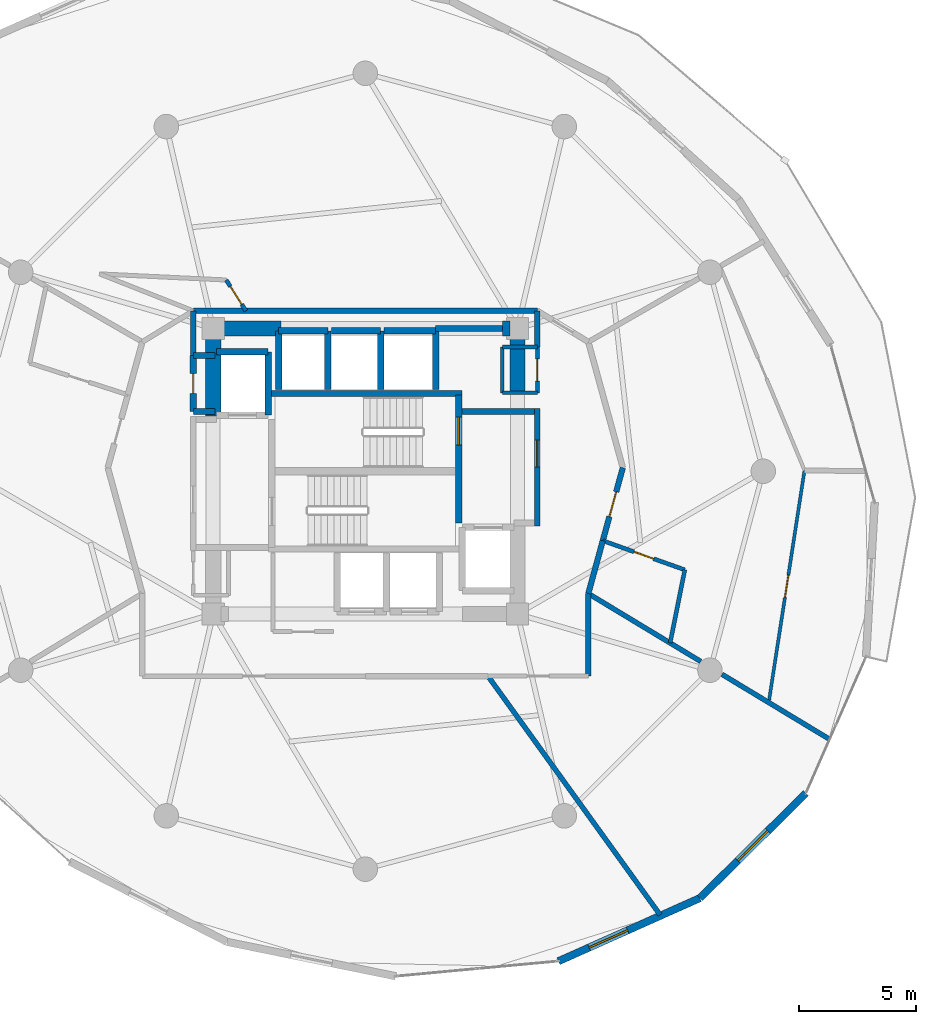
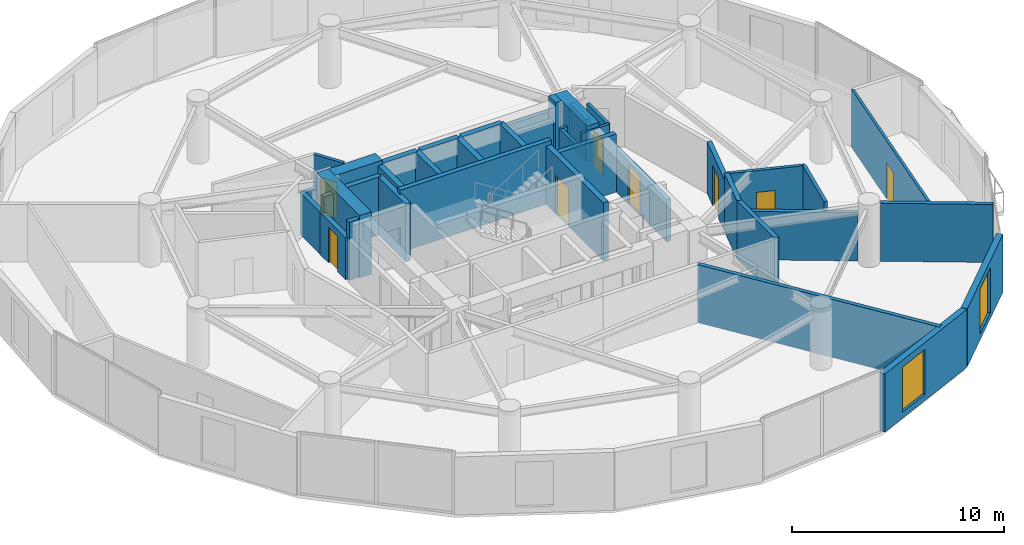
# One storey, part 21 of 25: 40 walls, 8 doors, 2 windows, 10 openings.
"""IFC4 building model written with IfcOpenShell, lengths in metres."""

from ifc_helpers import new_model, si_unit, direction, frame, frame_2d, origin, place, context, subcontext, project, spatial, rectangle, extrude, material, layer, layer_set, type_object, element, fill, save


model = new_model("IFC4")

# Units and contexts
model_context = context("Model", 3, precision=1e-05, world=origin(), true_north=direction((0.0, 1.0)))
body_context = subcontext(model_context, "Body", "Model", "MODEL_VIEW")
ifc_project = project(units=[si_unit("LENGTHUNIT", "METRE"), si_unit("AREAUNIT", "SQUARE_METRE"), si_unit("VOLUMEUNIT", "CUBIC_METRE"), si_unit("PLANEANGLEUNIT", "RADIAN"), si_unit("MASSUNIT", "GRAM", prefix="KILO")], contexts=[model_context])

# Site, building, storey
site_placement = place(None, origin())
site = spatial("IfcSite", under=ifc_project, at=site_placement, CompositionType="ELEMENT")
building_placement = place(site_placement, origin())
building = spatial("IfcBuilding", under=site, at=building_placement, Name="Solvirekh Grand Hotel", CompositionType="ELEMENT")
storey_placement = place(building_placement, frame((0.0, 0.0, 117.0)))
storey = spatial("IfcBuildingStorey", under=building, at=storey_placement, Name="L29", CompositionType="ELEMENT", Elevation=117.0)

# Walls
ifc_material_1 = material(Name="Concrete C50/60", Category="concrete")
ifc_layer_1 = layer(ifc_material_1, 0.35009765625)
ifc_layer_set_1 = layer_set([ifc_layer_1], Name="Concrete C50/60")
wall_type_1 = type_object("IfcWallType", Name="CoreDivWall_RC350", PredefinedType="SOLIDWALL", material=ifc_layer_set_1)
wall_1_placement = place(storey_placement, frame((-4.1298828125, 3.324951171875, 0.0), z_axis=(0.0, 0.0, 1.0), x_axis=(1.0, 0.0, 0.0)))
element("IfcWall", 1, at=wall_1_placement, inside=storey, type_object=wall_type_1, Name="L29 core stair box wall ST-N", PredefinedType="SOLIDWALL", context=body_context, shape_type="SweptSolid", body=[
    extrude(rectangle(XDim=8.259765625, YDim=0.25, at=frame_2d((4.1298828125, 0.0))), origin(), (0.0, 0.0, 1.0), 3.60009765625),
])
ifc_material_2 = material(Name="Concrete C40/50", Category="concrete")
ifc_layer_2 = layer(ifc_material_2, 0.280029296875)
ifc_layer_set_2 = layer_set([ifc_layer_2], Name="Concrete C40/50")
wall_type_2 = type_object("IfcWallType", Name="CoreShaftWall_RC280", PredefinedType="SOLIDWALL", material=ifc_layer_set_2)
wall_2_placement = place(storey_placement, frame((-1.60009765625, 6.0, 0.0), z_axis=(0.0, 0.0, 1.0), x_axis=(-1.0, 0.0, 0.0)))
element("IfcWall", 2, at=wall_2_placement, inside=storey, type_object=wall_type_2, Name="L29 HP-1 hoistway N wall", PredefinedType="SOLIDWALL", context=body_context, shape_type="SweptSolid", body=[
    extrude(rectangle(XDim=2.099853515625, YDim=0.280029296875, at=frame_2d((1.0498046875, 0.0))), origin(), (0.0, 0.0, 1.0), 3.35009765625),
])
for number, where, z_axis, x_axis, name in (
    (3, (-3.699951171875, 6.0, 0.0), (0.0, 0.0, 1.0), (0.0, -1.0, 0.0), "L29 HP-1 hoistway W wall"),
    (4, (-1.60009765625, 3.5, 0.0), (0.0, 0.0, 1.0), (0.0, 1.0, 0.0), "L29 HP-1 hoistway E wall"),
):
    element("IfcWall", number, at=place(storey_placement, frame(where, z_axis=z_axis, x_axis=x_axis)), inside=storey, type_object=wall_type_2, Name=name, PredefinedType="SOLIDWALL", context=body_context, shape_type="SweptSolid", body=[
        extrude(rectangle(XDim=2.5, YDim=0.280029296875, at=frame_2d((1.25, 0.0))), origin(), (0.0, 0.0, 1.0), 3.35009765625),
    ])
wall_3_placement = place(storey_placement, frame((0.64990234375, 6.0, 0.0), z_axis=(0.0, 0.0, 1.0), x_axis=(-1.0, 0.0, 0.0)))
element("IfcWall", 5, at=wall_3_placement, inside=storey, type_object=wall_type_2, Name="L29 HP-2 hoistway N wall", PredefinedType="SOLIDWALL", context=body_context, shape_type="SweptSolid", body=[
    extrude(rectangle(XDim=2.099853515625, YDim=0.280029296875, at=frame_2d((1.0498046875, 0.0))), origin(), (0.0, 0.0, 1.0), 3.35009765625),
])
wall_4_placement = place(storey_placement, frame((0.64990234375, 3.5, 0.0), z_axis=(0.0, 0.0, 1.0), x_axis=(0.0, 1.0, 0.0)))
element("IfcWall", 6, at=wall_4_placement, inside=storey, type_object=wall_type_2, Name="L29 HP-2 hoistway E wall", PredefinedType="SOLIDWALL", context=body_context, shape_type="SweptSolid", body=[
    extrude(rectangle(XDim=2.5, YDim=0.280029296875, at=frame_2d((1.25, 0.0))), origin(), (0.0, 0.0, 1.0), 3.35009765625),
])
wall_5_placement = place(storey_placement, frame((3.0, 6.0, 0.0), z_axis=(0.0, 0.0, 1.0), x_axis=(-1.0, 0.0, 0.0)))
element("IfcWall", 7, at=wall_5_placement, inside=storey, type_object=wall_type_2, Name="L29 EX-1 hoistway N wall", PredefinedType="SOLIDWALL", context=body_context, shape_type="SweptSolid", body=[
    extrude(rectangle(XDim=2.199951171875, YDim=0.280029296875, at=frame_2d((1.10009765625, 0.0))), origin(), (0.0, 0.0, 1.0), 3.35009765625),
])
wall_6_placement = place(storey_placement, frame((3.0, 3.5, 0.0), z_axis=(0.0, 0.0, 1.0), x_axis=(0.0, 1.0, 0.0)))
element("IfcWall", 8, at=wall_6_placement, inside=storey, type_object=wall_type_2, Name="L29 EX-1 hoistway E wall", PredefinedType="SOLIDWALL", context=body_context, shape_type="SweptSolid", body=[
    extrude(rectangle(XDim=2.5, YDim=0.280029296875, at=frame_2d((1.25, 0.0))), origin(), (0.0, 0.0, 1.0), 3.35009765625),
])
wall_7_placement = place(storey_placement, frame((-4.14990234375, 5.10009765625, 0.0), z_axis=(0.0, 0.0, 1.0), x_axis=(-1.0, 0.0, 0.0)))
element("IfcWall", 9, at=wall_7_placement, inside=storey, type_object=wall_type_2, Name="L29 FL-1 hoistway N wall", PredefinedType="SOLIDWALL", context=body_context, shape_type="SweptSolid", body=[
    extrude(rectangle(XDim=2.2001953125, YDim=0.280029296875, at=frame_2d((1.10009765625, 0.0))), origin(), (0.0, 0.0, 1.0), 3.35009765625),
])
wall_8_placement = place(storey_placement, frame((-4.14990234375, 2.39990234375, 0.0), z_axis=(0.0, 0.0, 1.0), x_axis=(0.0, 1.0, 0.0)))
element("IfcWall", 10, at=wall_8_placement, inside=storey, type_object=wall_type_2, Name="L29 FL-1 hoistway E wall", PredefinedType="SOLIDWALL", context=body_context, shape_type="SweptSolid", body=[
    extrude(rectangle(XDim=2.7001953125, YDim=0.280029296875, at=frame_2d((1.35009765625, 0.0))), origin(), (0.0, 0.0, 1.0), 3.35009765625),
])

# Wall, opening, door
wall_9_placement = place(storey_placement, frame((3.989990234375, -2.2099609375, 0.0), z_axis=(0.0, 0.0, 1.0), x_axis=(0.0, 1.0, 0.0)))
wall_9 = element("IfcWall", 11, at=wall_9_placement, inside=storey, type_object=wall_type_2, Name="L29 east stair landing enclosure wall", PredefinedType="SOLIDWALL", context=body_context, shape_type="SweptSolid", body=[
    extrude(rectangle(XDim=5.4599609375, YDim=0.280029296875, at=frame_2d((2.72998046875, 0.0))), origin(), (0.0, 0.0, 1.0), 3.35009765625),
])
opening_1_placement = place(wall_9_placement, frame((3.322998046875, 0.0, 0.0)))
opening_1 = element("IfcOpeningElement", 12, at=opening_1_placement, cuts=wall_9, Name="Opening D05", PredefinedType="OPENING", context=body_context, shape_type="SweptSolid", body=[
    extrude(rectangle(XDim=1.199951171875, YDim=2.199951171875, at=frame_2d((0.60009765625, 1.10009765625))), frame((0.0, 0.14990234375, 0.0), z_axis=(0.0, -1.0, 0.0), x_axis=(1.0, 0.0, 0.0)), (0.0, 0.0, 1.0), 0.300048828125),
])
ifc_material_3 = material(Name="Fire-Rated Steel Door Assembly", Category="steel")
door_type_1 = type_object("IfcDoorType", Name="Door_StairCore_1200X2200", OperationType="NOTDEFINED", PredefinedType="DOOR", material=ifc_material_3)
door_1_placement = place(opening_1_placement, origin())
door_1 = element("IfcDoor", 13, at=door_1_placement, inside=storey, type_object=door_type_1, Name="L29 exit stair ST-2 fire door", OperationType="SINGLE_SWING_LEFT", OverallHeight=2.199951171875, OverallWidth=1.199951171875, PredefinedType="DOOR", context=body_context, shape_type="SweptSolid", body=[
    extrude(rectangle(XDim=1.199951171875, YDim=2.199951171875, at=frame_2d((0.60009765625, 1.10009765625))), frame((0.0, 0.02490234375, 0.0), z_axis=(0.0, -1.0, 0.0), x_axis=(1.0, 0.0, 0.0)), (0.0, 0.0, 1.0), 0.050048828125),
])
fill(opening_1, door_1)

# Walls
ifc_layer_3 = layer(ifc_material_1, 0.64990234375)
ifc_layer_set_3 = layer_set([ifc_layer_3], Name="Concrete C50/60")
wall_type_3 = type_object("IfcWallType", Name="CoreWall_RC650", PredefinedType="SHEAR", material=ifc_layer_set_3)
wall_10_placement = place(storey_placement, frame((-6.175048828125, 6.10009765625, 0.0), z_axis=(0.0, 0.0, 1.0), x_axis=(1.0, 0.0, 0.0)))
element("IfcWall", 14, at=wall_10_placement, inside=storey, type_object=wall_type_3, Name="L29 core corner shear wall NW-N", PredefinedType="SHEAR", context=body_context, shape_type="SweptSolid", body=[
    extrude(rectangle(XDim=2.574951171875, YDim=0.64990234375, at=frame_2d((1.28759765625, 0.0))), origin(), (0.0, 0.0, 1.0), 3.60009765625),
])
wall_11_placement = place(storey_placement, frame((5.85009765625, 6.10009765625, 0.0), z_axis=(0.0, 0.0, 1.0), x_axis=(1.0, 0.0, 0.0)))
element("IfcWall", 15, at=wall_11_placement, inside=storey, type_object=wall_type_3, Name="L29 core corner shear wall NE-N", PredefinedType="SHEAR", context=body_context, shape_type="SweptSolid", body=[
    extrude(rectangle(XDim=0.324951171875, YDim=0.64990234375, at=frame_2d((0.16259765625, 0.0))), origin(), (0.0, 0.0, 1.0), 3.60009765625),
])
wall_12_placement = place(storey_placement, frame((-6.5, 2.35009765625, 0.0), z_axis=(0.0, 0.0, 1.0), x_axis=(0.0, 1.0, 0.0)))
element("IfcWall", 16, at=wall_12_placement, inside=storey, type_object=wall_type_3, Name="L29 core corner shear wall WN-W", PredefinedType="SHEAR", context=body_context, shape_type="SweptSolid", body=[
    extrude(rectangle(XDim=4.074951171875, YDim=0.64990234375, at=frame_2d((2.03759765625, 0.0))), origin(), (0.0, 0.0, 1.0), 3.60009765625),
])
wall_13_placement = place(storey_placement, frame((6.5, 3.35009765625, 0.0), z_axis=(0.0, 0.0, 1.0), x_axis=(0.0, 1.0, 0.0)))
element("IfcWall", 17, at=wall_13_placement, inside=storey, type_object=wall_type_3, Name="L29 core corner shear wall EN-E", PredefinedType="SHEAR", context=body_context, shape_type="SweptSolid", body=[
    extrude(rectangle(XDim=3.074951171875, YDim=0.64990234375, at=frame_2d((1.53759765625, 0.0))), origin(), (0.0, 0.0, 1.0), 3.60009765625),
])

# Wall, opening, window
ifc_material_4 = material(Name="Precast concrete C45/55", Category="concrete")
ifc_layer_4 = layer(ifc_material_4, 0.320068359375)
ifc_layer_set_4 = layer_set([ifc_layer_4], Name="Precast concrete C45/55")
wall_type_4 = type_object("IfcWallType", Name="ExtLobbyWall_RC320", PredefinedType="SOLIDWALL", material=ifc_layer_set_4)
wall_14_placement = place(storey_placement, frame((14.29296875, -18.236083984375, 0.0), z_axis=(0.0, 0.0, 1.0), x_axis=(-0.913180092106, -0.407556277562, 0.0)))
wall_14 = element("IfcWall", 18, at=wall_14_placement, inside=storey, type_object=wall_type_4, Name="L29 exterior structural wall chord 19", PredefinedType="SOLIDWALL", context=body_context, shape_type="SweptSolid", body=[
    extrude(rectangle(XDim=6.612060546875, YDim=0.320068359375, at=frame_2d((3.30615234375, 0.0))), origin(), (0.0, 0.0, 1.0), 3.35009765625),
])
opening_2_placement = place(wall_14_placement, frame((3.37890625, 0.0, 0.35009765625)))
opening_2 = element("IfcOpeningElement", 19, at=opening_2_placement, cuts=wall_14, Name="Opening W02", PredefinedType="OPENING", context=body_context, shape_type="SweptSolid", body=[
    extrude(rectangle(XDim=1.800048828125, YDim=2.60009765625, at=frame_2d((0.89990234375, 1.300048828125))), frame((0.0, 0.169921875, 0.0), z_axis=(0.0, -1.0, 0.0), x_axis=(1.0, 0.0, 0.0)), (0.0, 0.0, 1.0), 0.340087890625),
])
ifc_material_5 = material(Name="Low-E Tinted Bronze Laminated Glass", Category="aluminium")
window_type = type_object("IfcWindowType", Name="Win_LobbyExt_1800X2600", PartitioningType="SINGLE_PANEL", PredefinedType="WINDOW", material=ifc_material_5)
window_1_placement = place(opening_2_placement, origin())
window_1 = element("IfcWindow", 20, at=window_1_placement, inside=storey, type_object=window_type, Name="L29 panoramic bronze-framed window 19", OverallHeight=2.60009765625, OverallWidth=1.800048828125, PartitioningType="SINGLE_PANEL", PredefinedType="WINDOW", context=body_context, shape_type="SweptSolid", body=[
    extrude(rectangle(XDim=1.800048828125, YDim=2.60009765625, at=frame_2d((0.89990234375, 1.300048828125))), frame((0.0, 0.030029296875, 0.0), z_axis=(0.0, -1.0, 0.0), x_axis=(1.0, 0.0, 0.0)), (0.0, 0.0, 1.0), 0.06005859375),
])
fill(opening_2, window_1)

wall_15_placement = place(storey_placement, frame((18.821044921875, -13.756103515625, 0.0), z_axis=(0.0, 0.0, 1.0), x_axis=(-0.710872024536, -0.703321380829, 0.0)))
wall_15 = element("IfcWall", 21, at=wall_15_placement, inside=storey, type_object=wall_type_4, Name="L29 exterior structural wall chord 20", PredefinedType="SOLIDWALL", context=body_context, shape_type="SweptSolid", body=[
    extrude(rectangle(XDim=6.36962890625, YDim=0.320068359375, at=frame_2d((3.184814453125, 0.0))), origin(), (0.0, 0.0, 1.0), 3.35009765625),
])
opening_3_placement = place(wall_15_placement, frame((2.284912109375, 0.0, 0.35009765625)))
opening_3 = element("IfcOpeningElement", 22, at=opening_3_placement, cuts=wall_15, Name="Opening W02", PredefinedType="OPENING", context=body_context, shape_type="SweptSolid", body=[
    extrude(rectangle(XDim=1.800048828125, YDim=2.60009765625, at=frame_2d((0.89990234375, 1.300048828125))), frame((0.0, 0.169921875, 0.0), z_axis=(0.0, -1.0, 0.0), x_axis=(1.0, 0.0, 0.0)), (0.0, 0.0, 1.0), 0.340087890625),
])
window_2_placement = place(opening_3_placement, origin())
window_2 = element("IfcWindow", 23, at=window_2_placement, inside=storey, type_object=window_type, Name="L29 panoramic bronze-framed window 20", OverallHeight=2.60009765625, OverallWidth=1.800048828125, PartitioningType="SINGLE_PANEL", PredefinedType="WINDOW", context=body_context, shape_type="SweptSolid", body=[
    extrude(rectangle(XDim=1.800048828125, YDim=2.60009765625, at=frame_2d((0.89990234375, 1.300048828125))), frame((0.0, 0.030029296875, 0.0), z_axis=(0.0, -1.0, 0.0), x_axis=(1.0, 0.0, 0.0)), (0.0, 0.0, 1.0), 0.06005859375),
])
fill(opening_3, window_2)

# Wall
ifc_material_6 = material(Name="Acoustic Gypsum Partition Assembly")
ifc_layer_5 = layer(ifc_material_6, 0.1650390625)
ifc_layer_set_5 = layer_set([ifc_layer_5], Name="Acoustic Gypsum Partition Assembly")
wall_type_5 = type_object("IfcWallType", Name="Part_BOH_165", PredefinedType="PARTITIONING", material=ifc_layer_set_5)
wall_16_placement = place(storey_placement, frame((5.85009765625, 3.35009765625, 0.0), z_axis=(0.0, 0.0, 1.0), x_axis=(1.0, 0.0, 0.0)))
element("IfcWall", 24, at=wall_16_placement, inside=storey, type_object=wall_type_5, Name="L29 L29 Core Housekeeping Room wall 1", PredefinedType="PARTITIONING", context=body_context, shape_type="SweptSolid", body=[
    extrude(rectangle(XDim=1.5, YDim=0.1650390625, at=frame_2d((0.75, 0.0))), origin(), (0.0, 0.0, 1.0), 3.35009765625),
])

# Wall, opening, door
wall_17_placement = place(storey_placement, frame((7.35009765625, 3.35009765625, 0.0), z_axis=(0.0, 0.0, 1.0), x_axis=(0.0, 1.0, 0.0)))
wall_17 = element("IfcWall", 25, at=wall_17_placement, inside=storey, type_object=wall_type_5, Name="L29 L29 Core Housekeeping Room wall 2", PredefinedType="PARTITIONING", context=body_context, shape_type="SweptSolid", body=[
    extrude(rectangle(XDim=1.949951171875, YDim=0.1650390625, at=frame_2d((0.97509765625, 0.0))), origin(), (0.0, 0.0, 1.0), 3.35009765625),
])
opening_4_placement = place(wall_17_placement, frame((0.5, 0.0, 0.0)))
opening_4 = element("IfcOpeningElement", 26, at=opening_4_placement, cuts=wall_17, Name="Opening D10", PredefinedType="OPENING", context=body_context, shape_type="SweptSolid", body=[
    extrude(rectangle(XDim=0.949951171875, YDim=2.10009765625, at=frame_2d((0.47509765625, 1.050048828125))), frame((0.0, 0.092529296875, 0.0), z_axis=(0.0, -1.0, 0.0), x_axis=(1.0, 0.0, 0.0)), (0.0, 0.0, 1.0), 0.18505859375),
])
ifc_material_7 = material(Name="Anodized Bronze Aluminium 6063-T6", Category="aluminium")
door_type_2 = type_object("IfcDoorType", Name="Door_RoomInt_950X2100", OperationType="NOTDEFINED", PredefinedType="DOOR", material=ifc_material_7)
door_2_placement = place(opening_4_placement, origin())
door_2 = element("IfcDoor", 27, at=door_2_placement, inside=storey, type_object=door_type_2, Name="L29 L29 Core Housekeeping Room door", OperationType="SINGLE_SWING_RIGHT", OverallHeight=2.10009765625, OverallWidth=0.949951171875, PredefinedType="DOOR", context=body_context, shape_type="SweptSolid", body=[
    extrude(rectangle(XDim=0.949951171875, YDim=2.10009765625, at=frame_2d((0.47509765625, 1.050048828125))), frame((0.0, 0.02490234375, 0.0), z_axis=(0.0, -1.0, 0.0), x_axis=(1.0, 0.0, 0.0)), (0.0, 0.0, 1.0), 0.050048828125),
])
fill(opening_4, door_2)

# Walls
wall_18_placement = place(storey_placement, frame((7.35009765625, 5.300048828125, 0.0), z_axis=(0.0, 0.0, 1.0), x_axis=(-1.0, 0.0, 0.0)))
element("IfcWall", 28, at=wall_18_placement, inside=storey, type_object=wall_type_5, Name="L29 L29 Core Housekeeping Room wall 3", PredefinedType="PARTITIONING", context=body_context, shape_type="SweptSolid", body=[
    extrude(rectangle(XDim=1.5, YDim=0.1650390625, at=frame_2d((0.75, 0.0))), origin(), (0.0, 0.0, 1.0), 2.43505859375),
])
wall_19_placement = place(storey_placement, frame((5.85009765625, 5.300048828125, 0.0), z_axis=(0.0, 0.0, 1.0), x_axis=(0.0, -1.0, 0.0)))
element("IfcWall", 29, at=wall_19_placement, inside=storey, type_object=wall_type_5, Name="L29 L29 Core Housekeeping Room wall 4", PredefinedType="PARTITIONING", context=body_context, shape_type="SweptSolid", body=[
    extrude(rectangle(XDim=1.949951171875, YDim=0.1650390625, at=frame_2d((0.97509765625, 0.0))), origin(), (0.0, 0.0, 1.0), 2.43505859375),
])

# Wall, opening, door
ifc_layer_6 = layer(ifc_material_6, 0.239990234375)
ifc_layer_set_6 = layer_set([ifc_layer_6], Name="Acoustic Gypsum Partition Assembly")
wall_type_6 = type_object("IfcWallType", Name="Part_Corridor_240", PredefinedType="PARTITIONING", material=ifc_layer_set_6)
wall_20_placement = place(storey_placement, frame((7.35009765625, -2.340087890625, 0.0), z_axis=(0.0, 0.0, 1.0), x_axis=(0.0, 1.0, 0.0)))
wall_20 = element("IfcWall", 30, at=wall_20_placement, inside=storey, type_object=wall_type_6, Name="L29 east firefighting lobby smoke screen wall", PredefinedType="PARTITIONING", context=body_context, shape_type="SweptSolid", body=[
    extrude(rectangle(XDim=5.02001953125, YDim=0.239990234375, at=frame_2d((2.510009765625, 0.0))), origin(), (0.0, 0.0, 1.0), 2.43505859375),
])
opening_5_placement = place(wall_20_placement, frame((2.514892578125, 0.0, 0.0)))
opening_5 = element("IfcOpeningElement", 31, at=opening_5_placement, cuts=wall_20, Name="Opening D06", PredefinedType="OPENING", context=body_context, shape_type="SweptSolid", body=[
    extrude(rectangle(XDim=1.14990234375, YDim=2.199951171875, at=frame_2d((0.574951171875, 1.10009765625))), frame((0.0, 0.1298828125, 0.0), z_axis=(0.0, -1.0, 0.0), x_axis=(1.0, 0.0, 0.0)), (0.0, 0.0, 1.0), 0.260009765625),
])
door_type_3 = type_object("IfcDoorType", Name="Door_FFLobby_1150X2200", OperationType="NOTDEFINED", PredefinedType="DOOR", material=ifc_material_3)
door_3_placement = place(opening_5_placement, origin())
door_3 = element("IfcDoor", 32, at=door_3_placement, inside=storey, type_object=door_type_3, Name="L29 east firefighting lobby smoke door", OperationType="SINGLE_SWING_LEFT", OverallHeight=2.199951171875, OverallWidth=1.14990234375, PredefinedType="DOOR", context=body_context, shape_type="SweptSolid", body=[
    extrude(rectangle(XDim=1.14990234375, YDim=2.199951171875, at=frame_2d((0.574951171875, 1.10009765625))), frame((0.0, 0.02490234375, 0.0), z_axis=(0.0, -1.0, 0.0), x_axis=(1.0, 0.0, 0.0)), (0.0, 0.0, 1.0), 0.050048828125),
])
fill(opening_5, door_3)

# Walls
wall_21_placement = place(storey_placement, frame((-7.35009765625, 6.85009765625, 0.0), z_axis=(0.0, 0.0, 1.0), x_axis=(1.0, 0.0, 0.0)))
element("IfcWall", 33, at=wall_21_placement, inside=storey, type_object=wall_type_6, Name="L29 north core backing partition", PredefinedType="PARTITIONING", context=body_context, shape_type="SweptSolid", body=[
    extrude(rectangle(XDim=14.7001953125, YDim=0.239990234375, at=frame_2d((7.35009765625, 0.0))), origin(), (0.0, 0.0, 1.0), 2.43505859375),
])
wall_22_placement = place(storey_placement, frame((-7.35009765625, 4.949951171875, 0.0), z_axis=(0.0, 0.0, 1.0), x_axis=(0.0, 1.0, 0.0)))
element("IfcWall", 34, at=wall_22_placement, inside=storey, type_object=wall_type_6, Name="L29 NW core cheek closure wall", PredefinedType="PARTITIONING", context=body_context, shape_type="SweptSolid", body=[
    extrude(rectangle(XDim=1.900146484375, YDim=0.239990234375, at=frame_2d((0.9501953125, 0.0))), origin(), (0.0, 0.0, 1.0), 2.43505859375),
])
wall_23_placement = place(storey_placement, frame((7.35009765625, 5.300048828125, 0.0), z_axis=(0.0, 0.0, 1.0), x_axis=(0.0, 1.0, 0.0)))
element("IfcWall", 35, at=wall_23_placement, inside=storey, type_object=wall_type_6, Name="L29 NE core cheek closure wall", PredefinedType="PARTITIONING", context=body_context, shape_type="SweptSolid", body=[
    extrude(rectangle(XDim=1.550048828125, YDim=0.239990234375, at=frame_2d((0.77490234375, 0.0))), origin(), (0.0, 0.0, 1.0), 2.43505859375),
])
wall_24_placement = place(storey_placement, frame((3.0, 6.10009765625, 0.0), z_axis=(0.0, 0.0, 1.0), x_axis=(1.0, 0.0, 0.0)))
element("IfcWall", 36, at=wall_24_placement, inside=storey, type_object=wall_type_6, Name="L29 north core shaft infill wall", PredefinedType="PARTITIONING", context=body_context, shape_type="SweptSolid", body=[
    extrude(rectangle(XDim=2.85009765625, YDim=0.239990234375, at=frame_2d((1.425048828125, 0.0))), origin(), (0.0, 0.0, 1.0), 2.43505859375),
])
wall_25_placement = place(storey_placement, frame((9.52587890625, -5.22509765625, 0.0), z_axis=(0.0, 0.0, 1.0), x_axis=(0.264431780812, 0.964404393031, 0.0)))
element("IfcWall", 37, at=wall_25_placement, inside=storey, type_object=wall_type_6, Name="L29 En-suite Bathroom 3103 corridor backing wall", PredefinedType="PARTITIONING", context=body_context, shape_type="SweptSolid", body=[
    extrude(rectangle(XDim=2.34130859375, YDim=0.239990234375, at=frame_2d((1.170654296875, 0.0))), origin(), (0.0, 0.0, 1.0), 3.35009765625),
])

# Wall, opening, door
wall_26_placement = place(storey_placement, frame((10.14501953125, -2.967041015625, 0.0), z_axis=(0.0, 0.0, 1.0), x_axis=(0.264529660797, 0.9643775498, 0.0)))
wall_26 = element("IfcWall", 38, at=wall_26_placement, inside=storey, type_object=wall_type_6, Name="L29 Executive Suite 3103 Living Room entrance wall", PredefinedType="PARTITIONING", context=body_context, shape_type="SweptSolid", body=[
    extrude(rectangle(XDim=3.232177734375, YDim=0.239990234375, at=frame_2d((1.6162109375, 0.0))), origin(), (0.0, 0.0, 1.0), 2.985107421875),
])
opening_6_placement = place(wall_26_placement, frame((1.06591796875, 0.0, 0.0)))
opening_6 = element("IfcOpeningElement", 39, at=opening_6_placement, cuts=wall_26, Name="Opening D08", PredefinedType="OPENING", context=body_context, shape_type="SweptSolid", body=[
    extrude(rectangle(XDim=1.10009765625, YDim=2.300048828125, at=frame_2d((0.550048828125, 1.14990234375))), frame((0.0, 0.1298828125, 0.0), z_axis=(0.0, -1.0, 0.0), x_axis=(1.0, 0.0, 0.0)), (0.0, 0.0, 1.0), 0.260009765625),
])
door_type_4 = type_object("IfcDoorType", Name="Door_SuiteEntry_1100X2300", OperationType="NOTDEFINED", PredefinedType="DOOR", material=ifc_material_3)
door_4_placement = place(opening_6_placement, origin())
door_4 = element("IfcDoor", 40, at=door_4_placement, inside=storey, type_object=door_type_4, Name="L29 Executive Suite 3103 Living Room entrance door", OperationType="SINGLE_SWING_LEFT", OverallHeight=2.300048828125, OverallWidth=1.10009765625, PredefinedType="DOOR", context=body_context, shape_type="SweptSolid", body=[
    extrude(rectangle(XDim=1.10009765625, YDim=2.300048828125, at=frame_2d((0.550048828125, 1.14990234375))), frame((0.0, 0.02490234375, 0.0), z_axis=(0.0, -1.0, 0.0), x_axis=(1.0, 0.0, 0.0)), (0.0, 0.0, 1.0), 0.050048828125),
])
fill(opening_6, door_4)

# Walls
wall_27_placement = place(storey_placement, frame((9.52587890625, -8.75, 0.0), z_axis=(0.0, 0.0, 1.0), x_axis=(0.0, 1.0, 0.0)))
element("IfcWall", 41, at=wall_27_placement, inside=storey, type_object=wall_type_6, Name="L29 L29 Butler Valet & Linen Steward Room corridor wall 1", PredefinedType="PARTITIONING", context=body_context, shape_type="SweptSolid", body=[
    extrude(rectangle(XDim=3.52490234375, YDim=0.239990234375, at=frame_2d((1.762451171875, 0.0))), origin(), (0.0, 0.0, 1.0), 3.35009765625),
])
ifc_layer_7 = layer(ifc_material_6, 0.260009765625)
ifc_layer_set_7 = layer_set([ifc_layer_7], Name="Acoustic Gypsum Partition Assembly")
wall_type_7 = type_object("IfcWallType", Name="Part_LobbyFF_260", PredefinedType="PARTITIONING", material=ifc_layer_set_7)
wall_28_placement = place(storey_placement, frame((4.1298828125, 2.550048828125, 0.0), z_axis=(0.0, 0.0, 1.0), x_axis=(1.0, 0.0, 0.0)))
element("IfcWall", 42, at=wall_28_placement, inside=storey, type_object=wall_type_7, Name="L29 east firefighting lobby north partition", PredefinedType="PARTITIONING", context=body_context, shape_type="SweptSolid", body=[
    extrude(rectangle(XDim=3.09521484375, YDim=0.260009765625, at=frame_2d((1.547607421875, 0.0))), origin(), (0.0, 0.0, 1.0), 3.35009765625),
])
for number, where, z_axis, x_axis, name in (
    (43, (-7.35009765625, 4.949951171875, 0.0), (0.0, 0.0, 1.0), (1.0, 0.0, 0.0), "L29 NW telecom metering cupboard north wall"),
    (44, (-7.35009765625, 2.550048828125, 0.0), (0.0, 0.0, 1.0), (1.0, 0.0, 0.0), "L29 NW telecom metering cupboard south wall"),
):
    element("IfcWall", number, at=place(storey_placement, frame(where, z_axis=z_axis, x_axis=x_axis)), inside=storey, type_object=wall_type_7, Name=name, PredefinedType="PARTITIONING", context=body_context, shape_type="SweptSolid", body=[
        extrude(rectangle(XDim=0.93017578125, YDim=0.260009765625, at=frame_2d((0.465087890625, 0.0))), origin(), (0.0, 0.0, 1.0), 3.35009765625),
    ])

# Wall, opening, door
wall_29_placement = place(storey_placement, frame((-7.35009765625, 2.550048828125, 0.0), z_axis=(0.0, 0.0, 1.0), x_axis=(0.0, 1.0, 0.0)))
wall_29 = element("IfcWall", 45, at=wall_29_placement, inside=storey, type_object=wall_type_7, Name="L29 NW telecom metering cupboard access wall", PredefinedType="PARTITIONING", context=body_context, shape_type="SweptSolid", body=[
    extrude(rectangle(XDim=2.39990234375, YDim=0.260009765625, at=frame_2d((1.199951171875, 0.0))), origin(), (0.0, 0.0, 1.0), 2.43505859375),
])
opening_7_placement = place(wall_29_placement, frame((0.77490234375, 0.0, 0.0)))
opening_7 = element("IfcOpeningElement", 46, at=opening_7_placement, cuts=wall_29, Name="Opening D13", PredefinedType="OPENING", context=body_context, shape_type="SweptSolid", body=[
    extrude(rectangle(XDim=0.85009765625, YDim=2.050048828125, at=frame_2d((0.425048828125, 1.02490234375))), frame((0.0, 0.14013671875, 0.0), z_axis=(0.0, -1.0, 0.0), x_axis=(1.0, 0.0, 0.0)), (0.0, 0.0, 1.0), 0.280029296875),
])
door_type_5 = type_object("IfcDoorType", Name="Door_RiserShaft_850X2050", OperationType="NOTDEFINED", PredefinedType="DOOR", material=ifc_material_3)
door_5_placement = place(opening_7_placement, origin())
door_5 = element("IfcDoor", 47, at=door_5_placement, inside=storey, type_object=door_type_5, Name="L29 telecom metering cupboard access door", OperationType="SINGLE_SWING_RIGHT", OverallHeight=2.050048828125, OverallWidth=0.85009765625, PredefinedType="DOOR", context=body_context, shape_type="SweptSolid", body=[
    extrude(rectangle(XDim=0.85009765625, YDim=2.050048828125, at=frame_2d((0.425048828125, 1.02490234375))), frame((0.0, 0.02490234375, 0.0), z_axis=(0.0, -1.0, 0.0), x_axis=(1.0, 0.0, 0.0)), (0.0, 0.0, 1.0), 0.050048828125),
])
fill(opening_7, door_5)

ifc_layer_8 = layer(ifc_material_6, 0.135009765625)
ifc_layer_set_8 = layer_set([ifc_layer_8], Name="Acoustic Gypsum Partition Assembly")
wall_type_8 = type_object("IfcWallType", Name="Part_RoomInt_135", PredefinedType="PARTITIONING", material=ifc_layer_set_8)
wall_30_placement = place(storey_placement, frame((17.23388671875, -9.881103515625, 0.0), z_axis=(0.0, 0.0, 1.0), x_axis=(0.152256429378, 0.988341023996, 0.0)))
wall_30 = element("IfcWall", 48, at=wall_30_placement, inside=storey, type_object=wall_type_8, Name="L29 Executive Suite 3103 Living Room bedroom screen wall", PredefinedType="PARTITIONING", context=body_context, shape_type="SweptSolid", body=[
    extrude(rectangle(XDim=10.0361328125, YDim=0.135009765625, at=frame_2d((5.01806640625, 0.0))), origin(), (0.0, 0.0, 1.0), 3.35009765625),
])
opening_8_placement = place(wall_30_placement, frame((4.54296875, 0.0, 0.0)))
opening_8 = element("IfcOpeningElement", 49, at=opening_8_placement, cuts=wall_30, Name="Opening D10", PredefinedType="OPENING", context=body_context, shape_type="SweptSolid", body=[
    extrude(rectangle(XDim=0.949951171875, YDim=2.10009765625, at=frame_2d((0.47509765625, 1.050048828125))), frame((0.0, 0.07763671875, 0.0), z_axis=(0.0, -1.0, 0.0), x_axis=(1.0, 0.0, 0.0)), (0.0, 0.0, 1.0), 0.155029296875),
])
door_6_placement = place(opening_8_placement, origin())
door_6 = element("IfcDoor", 50, at=door_6_placement, inside=storey, type_object=door_type_2, Name="L29 Executive Suite 3103 Living Room master bedroom door", OperationType="SINGLE_SWING_RIGHT", OverallHeight=2.10009765625, OverallWidth=0.949951171875, PredefinedType="DOOR", context=body_context, shape_type="SweptSolid", body=[
    extrude(rectangle(XDim=0.949951171875, YDim=2.10009765625, at=frame_2d((0.47509765625, 1.050048828125))), frame((0.0, 0.02490234375, 0.0), z_axis=(0.0, -1.0, 0.0), x_axis=(1.0, 0.0, 0.0)), (0.0, 0.0, 1.0), 0.050048828125),
])
fill(opening_8, door_6)

# Walls
ifc_layer_9 = layer(ifc_material_6, 0.2099609375)
ifc_layer_set_9 = layer_set([ifc_layer_9], Name="Acoustic Gypsum Partition Assembly")
wall_type_9 = type_object("IfcWallType", Name="Part_SuiteDemise_210", PredefinedType="PARTITIONING", material=ifc_layer_set_9)
wall_31_placement = place(storey_placement, frame((9.52587890625, -5.22509765625, 0.0), z_axis=(0.0, 0.0, 1.0), x_axis=(0.855972129744, -0.517021965782, 0.0)))
element("IfcWall", 51, at=wall_31_placement, inside=storey, type_object=wall_type_9, Name="L29 suite radial wall 12 (A)", PredefinedType="PARTITIONING", context=body_context, shape_type="SweptSolid", body=[
    extrude(rectangle(XDim=5.60888671875, YDim=0.2099609375, at=frame_2d((2.804443359375, 0.0))), origin(), (0.0, 0.0, 1.0), 2.791015625),
])
wall_32_placement = place(storey_placement, frame((15.238037109375, -8.675048828125, 0.0), z_axis=(0.0, 0.0, 1.0), x_axis=(0.855909632561, -0.51712542085, 0.0)))
element("IfcWall", 52, at=wall_32_placement, inside=storey, type_object=wall_type_9, Name="L29 suite radial wall 12 (B)", PredefinedType="PARTITIONING", context=body_context, shape_type="SweptSolid", body=[
    extrude(rectangle(XDim=5.33349609375, YDim=0.2099609375, at=frame_2d((2.666748046875, 0.0))), origin(), (0.0, 0.0, 1.0), 3.35009765625),
])
wall_33_placement = place(storey_placement, frame((5.239013671875, -8.75, 0.0), z_axis=(0.0, 0.0, 1.0), x_axis=(0.584705614476, -0.811245551236, 0.0)))
element("IfcWall", 53, at=wall_33_placement, inside=storey, type_object=wall_type_9, Name="L29 L29 Chamber Music Conservatory dividing partition 1", PredefinedType="PARTITIONING", context=body_context, shape_type="SweptSolid", body=[
    extrude(rectangle(XDim=12.57568359375, YDim=0.2099609375, at=frame_2d((6.287841796875, 0.0))), origin(), (0.0, 0.0, 1.0), 3.35009765625),
])

# Wall, opening, door
ifc_layer_10 = layer(ifc_material_6, 0.175048828125)
ifc_layer_set_10 = layer_set([ifc_layer_10], Name="Acoustic Gypsum Partition Assembly")
wall_type_10 = type_object("IfcWallType", Name="Plumb_Ensuite_175", PredefinedType="PLUMBINGWALL", material=ifc_layer_set_10)
wall_34_placement = place(storey_placement, frame((-5.10009765625, 6.85009765625, 0.0), z_axis=(0.0, 0.0, 1.0), x_axis=(-0.537582310539, 0.843211278029, 0.0)))
wall_34 = element("IfcWall", 54, at=wall_34_placement, inside=storey, type_object=wall_type_10, Name="L29 En-suite Bathroom 3101 entry plumbing wall", PredefinedType="PLUMBINGWALL", context=body_context, shape_type="SweptSolid", body=[
    extrude(rectangle(XDim=1.56396484375, YDim=0.175048828125, at=frame_2d((0.781982421875, 0.0))), origin(), (0.0, 0.0, 1.0), 3.35009765625),
])
opening_9_placement = place(wall_34_placement, frame((0.33203125, 0.0, 0.0)))
opening_9 = element("IfcOpeningElement", 55, at=opening_9_placement, cuts=wall_34, Name="Opening D09", PredefinedType="OPENING", context=body_context, shape_type="SweptSolid", body=[
    extrude(rectangle(XDim=0.89990234375, YDim=2.10009765625, at=frame_2d((0.449951171875, 1.050048828125))), frame((0.0, 0.09765625, 0.0), z_axis=(0.0, -1.0, 0.0), x_axis=(1.0, 0.0, 0.0)), (0.0, 0.0, 1.0), 0.195068359375),
])
door_type_6 = type_object("IfcDoorType", Name="Door_Ensuite_900X2100", OperationType="NOTDEFINED", PredefinedType="DOOR", material=ifc_material_7)
door_7_placement = place(opening_9_placement, origin())
door_7 = element("IfcDoor", 56, at=door_7_placement, inside=storey, type_object=door_type_6, Name="L29 En-suite Bathroom 3101 door", OperationType="SINGLE_SWING_RIGHT", OverallHeight=2.10009765625, OverallWidth=0.89990234375, PredefinedType="DOOR", context=body_context, shape_type="SweptSolid", body=[
    extrude(rectangle(XDim=0.89990234375, YDim=2.10009765625, at=frame_2d((0.449951171875, 1.050048828125))), frame((0.0, 0.02490234375, 0.0), z_axis=(0.0, -1.0, 0.0), x_axis=(1.0, 0.0, 0.0)), (0.0, 0.0, 1.0), 0.050048828125),
])
fill(opening_9, door_7)

# Wall
wall_35_placement = place(storey_placement, frame((13.02001953125, -7.3359375, 0.0), z_axis=(0.0, 0.0, 1.0), x_axis=(0.197412870908, 0.980320436592, 0.0)))
element("IfcWall", 57, at=wall_35_placement, inside=storey, type_object=wall_type_10, Name="L29 En-suite Bathroom 3103 outer plumbing wall", PredefinedType="PLUMBINGWALL", context=body_context, shape_type="SweptSolid", body=[
    extrude(rectangle(XDim=3.185791015625, YDim=0.175048828125, at=frame_2d((1.5927734375, 0.0))), origin(), (0.0, 0.0, 1.0), 3.35009765625),
])

# Wall, opening, door
wall_36_placement = place(storey_placement, frame((10.14501953125, -2.967041015625, 0.0), z_axis=(0.0, 0.0, 1.0), x_axis=(0.942213308765, -0.335013553137, 0.0)))
wall_36 = element("IfcWall", 58, at=wall_36_placement, inside=storey, type_object=wall_type_10, Name="L29 En-suite Bathroom 3103 entry plumbing wall", PredefinedType="PLUMBINGWALL", context=body_context, shape_type="SweptSolid", body=[
    extrude(rectangle(XDim=3.71875, YDim=0.175048828125, at=frame_2d((1.859375, 0.0))), origin(), (0.0, 0.0, 1.0), 3.35009765625),
])
opening_10_placement = place(wall_36_placement, frame((1.408935546875, 0.0, 0.0)))
opening_10 = element("IfcOpeningElement", 59, at=opening_10_placement, cuts=wall_36, Name="Opening D09", PredefinedType="OPENING", context=body_context, shape_type="SweptSolid", body=[
    extrude(rectangle(XDim=0.89990234375, YDim=2.10009765625, at=frame_2d((0.449951171875, 1.050048828125))), frame((0.0, 0.09765625, 0.0), z_axis=(0.0, -1.0, 0.0), x_axis=(1.0, 0.0, 0.0)), (0.0, 0.0, 1.0), 0.195068359375),
])
door_8_placement = place(opening_10_placement, origin())
door_8 = element("IfcDoor", 60, at=door_8_placement, inside=storey, type_object=door_type_6, Name="L29 En-suite Bathroom 3103 door", OperationType="SINGLE_SWING_RIGHT", OverallHeight=2.10009765625, OverallWidth=0.89990234375, PredefinedType="DOOR", context=body_context, shape_type="SweptSolid", body=[
    extrude(rectangle(XDim=0.89990234375, YDim=2.10009765625, at=frame_2d((0.449951171875, 1.050048828125))), frame((0.0, 0.02490234375, 0.0), z_axis=(0.0, -1.0, 0.0), x_axis=(1.0, 0.0, 0.0)), (0.0, 0.0, 1.0), 0.050048828125),
])
fill(opening_10, door_8)

save(model, "model.ifc")
